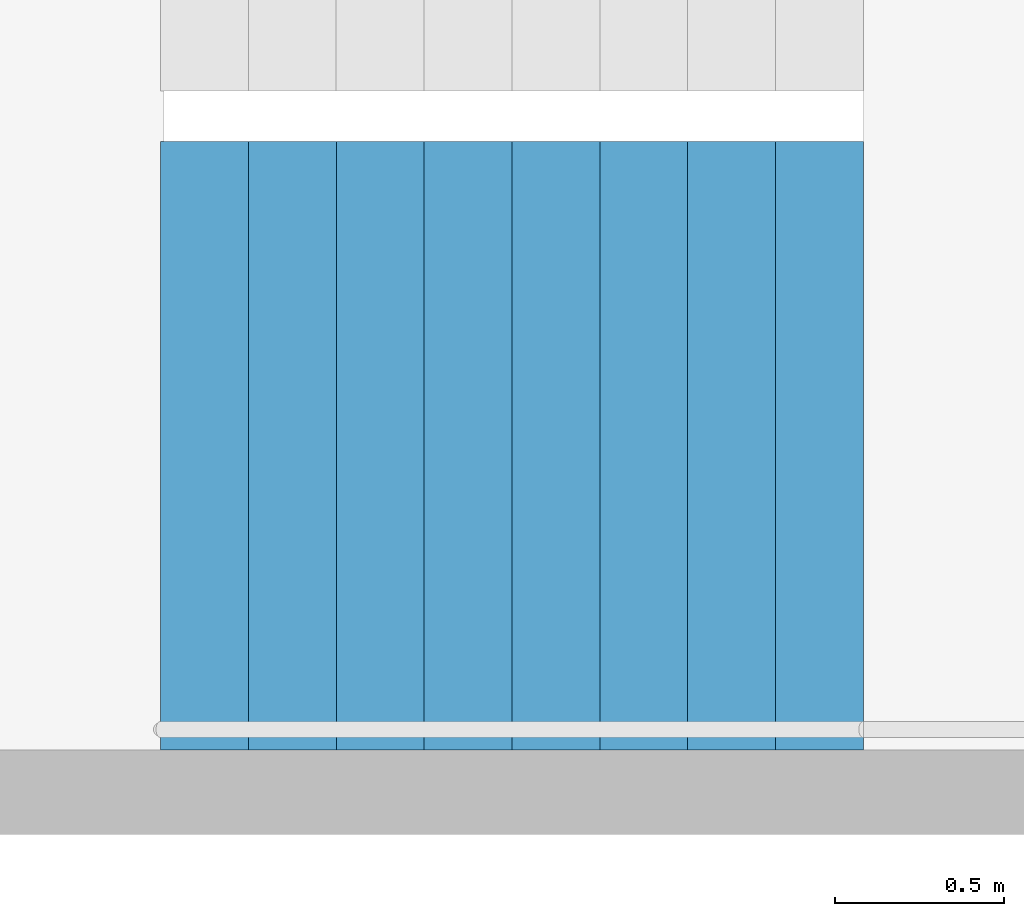
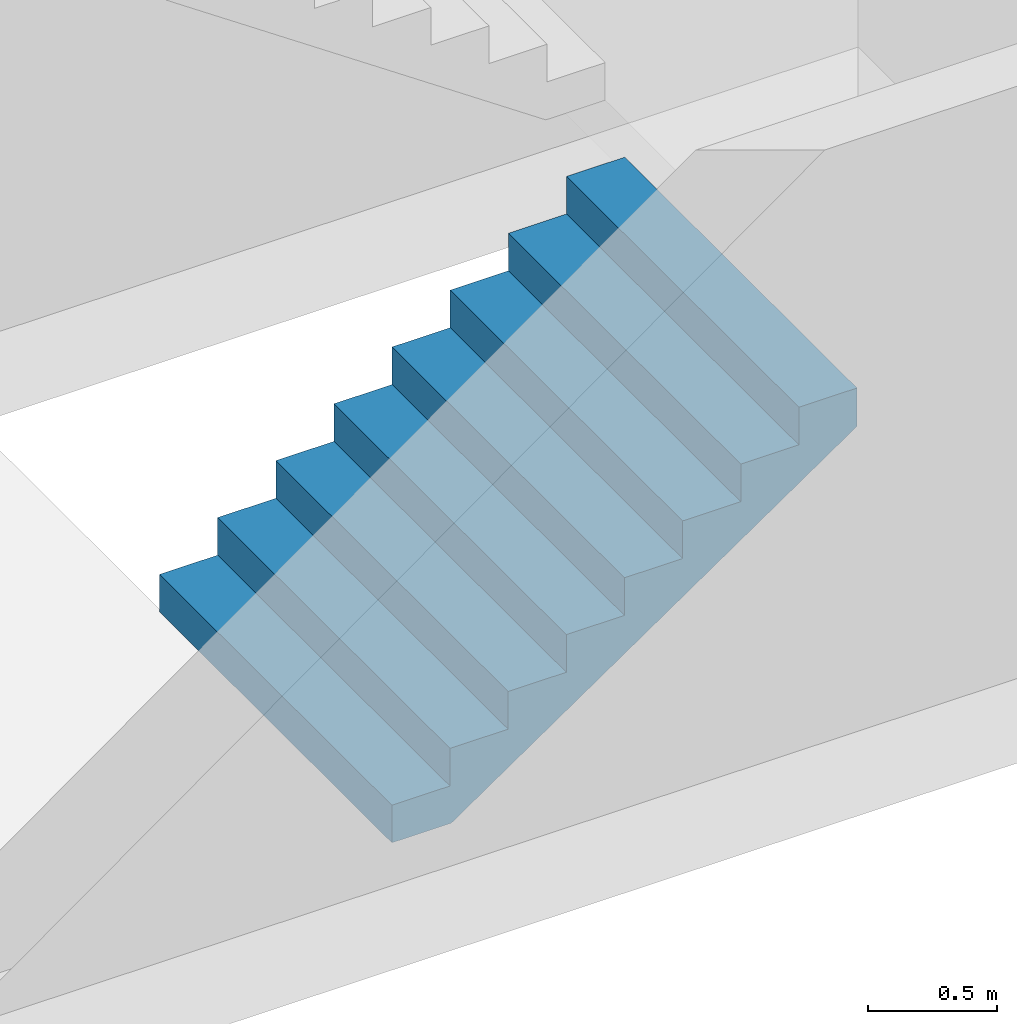
# One storey, part 23 of 29: 1 stair flight, 1 element without a shape of its own.
"""IFC4 building model written with IfcOpenShell, lengths in metres."""

from ifc_helpers import new_model, si_unit, direction, frame, origin, place, context, subcontext, project, spatial, triangles, material, type_object, element, aggregate, save


model = new_model("IFC4")

# Units and contexts
model_context = context("Model", 3, precision=1e-05, world=origin(), true_north=direction((0.0, 1.0)))
body_context = subcontext(model_context, "Body", "Model", "MODEL_VIEW")
ifc_project = project(units=[si_unit("LENGTHUNIT", "METRE"), si_unit("AREAUNIT", "SQUARE_METRE"), si_unit("VOLUMEUNIT", "CUBIC_METRE"), si_unit("PLANEANGLEUNIT", "RADIAN"), si_unit("MASSUNIT", "GRAM", prefix="KILO")], contexts=[model_context])

# Site, building, storey
site_placement = place(None, origin())
site = spatial("IfcSite", under=ifc_project, at=site_placement, CompositionType="ELEMENT")
building_placement = place(site_placement, origin())
building = spatial("IfcBuilding", under=site, at=building_placement, Name="Hakoniwa Tower and Hamabe Station Hall", CompositionType="ELEMENT")
storey_placement = place(building_placement, frame((0.0, 0.0, 23.0)))
storey = spatial("IfcBuildingStorey", under=building, at=storey_placement, Name="L05", CompositionType="ELEMENT", Elevation=23.0)

# Stair, stair flight
ifc_material_1 = material(Name="Concrete C40", Category="concrete")
stair_type = type_object("IfcStairType", Name="ESCAPE STAIR 1800", PredefinedType="HALF_TURN_STAIR", material=ifc_material_1)
stair_placement = place(storey_placement, origin())
stair = element("IfcStair", 1, at=stair_placement, inside=storey, type_object=stair_type, Name="Escape stair ST-1 L05", PredefinedType="HALF_TURN_STAIR")
ifc_material_2 = material(Name="Concrete C40", Category="concrete")
stair_flight_type = type_object("IfcStairFlightType", Name="STAIR FLIGHT 1800", PredefinedType="STRAIGHT", material=ifc_material_2)
stair_flight_placement = place(storey_placement, frame((-24.39990234375, 4.64990234375, 0.0), z_axis=(0.0, 0.0, 1.0), x_axis=(1.0, 0.0, 0.0)))
stair_flight = element("IfcStairFlight", 2, at=stair_flight_placement, type_object=stair_flight_type, Name="ST-1 flight 1", NumberOfRisers=9, NumberOfTreads=8, PredefinedType="STRAIGHT", RiserHeight=0.177777778, TreadLength=0.26, context=body_context, shape_type="Tessellation", body=[
    triangles([(0.0, 0.89990234375, 0.0), (0.260009765625, 0.89990234375, 0.0), (0.265625, 0.89990234375, 0.0), (0.52001953125, 0.89990234375, 0.174072265625), (0.780029296875, 0.89990234375, 0.351806640625), (1.0400390625, 0.89990234375, 0.529541015625), (1.300048828125, 0.89990234375, 0.707275390625), (1.56005859375, 0.89990234375, 0.885009765625), (1.820068359375, 0.89990234375, 1.062744140625), (2.080078125, 0.89990234375, 1.24072265625), (2.080078125, 0.89990234375, 1.422119140625), (1.820068359375, 0.89990234375, 1.422119140625), (1.820068359375, 0.89990234375, 1.244384765625), (1.56005859375, 0.89990234375, 1.244384765625), (1.56005859375, 0.89990234375, 1.066650390625), (1.300048828125, 0.89990234375, 1.066650390625), (1.300048828125, 0.89990234375, 0.888916015625), (1.0400390625, 0.89990234375, 0.888916015625), (1.0400390625, 0.89990234375, 0.711181640625), (0.780029296875, 0.89990234375, 0.711181640625), (0.780029296875, 0.89990234375, 0.533447265625), (0.52001953125, 0.89990234375, 0.533447265625), (0.52001953125, 0.89990234375, 0.35546875), (0.265625, 0.89990234375, 0.35546875), (0.260009765625, 0.89990234375, 0.35546875), (0.260009765625, 0.89990234375, 0.177734375), (0.0, 0.89990234375, 0.177734375), (0.0, 0.06005859375, 0.0), (0.260009765625, 0.06005859375, 0.0), (0.265625, 0.06005859375, 0.0), (0.52001953125, 0.06005859375, 0.174072265625), (0.780029296875, 0.06005859375, 0.351806640625), (1.0400390625, 0.06005859375, 0.529541015625), (1.300048828125, 0.06005859375, 0.707275390625), (1.56005859375, 0.06005859375, 0.885009765625), (1.820068359375, 0.06005859375, 1.062744140625), (2.080078125, 0.06005859375, 1.24072265625), (2.080078125, 0.06005859375, 1.422119140625), (1.820068359375, 0.06005859375, 1.422119140625), (1.820068359375, 0.06005859375, 1.244384765625), (1.56005859375, 0.06005859375, 1.244384765625), (1.56005859375, 0.06005859375, 1.066650390625), (1.300048828125, 0.06005859375, 1.066650390625), (1.300048828125, 0.06005859375, 0.888916015625), (1.0400390625, 0.06005859375, 0.888916015625), (1.0400390625, 0.06005859375, 0.711181640625), (0.780029296875, 0.06005859375, 0.711181640625), (0.780029296875, 0.06005859375, 0.533447265625), (0.52001953125, 0.06005859375, 0.533447265625), (0.52001953125, 0.06005859375, 0.35546875), (0.265625, 0.06005859375, 0.35546875), (0.260009765625, 0.06005859375, 0.35546875), (0.260009765625, 0.06005859375, 0.177734375), (0.0, 0.06005859375, 0.177734375), (0.0, 0.04296875, 0.0), (0.260009765625, 0.04296875, 0.0), (0.265625, 0.04296875, 0.0), (0.52001953125, 0.04296875, 0.174072265625), (0.780029296875, 0.04296875, 0.351806640625), (1.0400390625, 0.04296875, 0.529541015625), (1.300048828125, 0.04296875, 0.707275390625), (1.56005859375, 0.04296875, 0.885009765625), (1.820068359375, 0.04296875, 1.062744140625), (2.080078125, 0.04296875, 1.24072265625), (2.080078125, 0.04296875, 1.422119140625), (1.820068359375, 0.04296875, 1.422119140625), (1.820068359375, 0.04296875, 1.244384765625), (1.56005859375, 0.04296875, 1.244384765625), (1.56005859375, 0.04296875, 1.066650390625), (1.300048828125, 0.04296875, 1.066650390625), (1.300048828125, 0.04296875, 0.888916015625), (1.0400390625, 0.04296875, 0.888916015625), (1.0400390625, 0.04296875, 0.711181640625), (0.780029296875, 0.04296875, 0.711181640625), (0.780029296875, 0.04296875, 0.533447265625), (0.52001953125, 0.04296875, 0.533447265625), (0.52001953125, 0.04296875, 0.35546875), (0.265625, 0.04296875, 0.35546875), (0.260009765625, 0.04296875, 0.35546875), (0.260009765625, 0.04296875, 0.177734375), (0.0, 0.04296875, 0.177734375), (0.0, 0.025634765625, 0.0), (0.260009765625, 0.025634765625, 0.0), (0.265625, 0.025634765625, 0.0), (0.52001953125, 0.025634765625, 0.174072265625), (0.780029296875, 0.025634765625, 0.351806640625), (1.0400390625, 0.025634765625, 0.529541015625), (1.300048828125, 0.025634765625, 0.707275390625), (1.56005859375, 0.025634765625, 0.885009765625), (1.820068359375, 0.025634765625, 1.062744140625), (2.080078125, 0.025634765625, 1.24072265625), (2.080078125, 0.025634765625, 1.422119140625), (1.820068359375, 0.025634765625, 1.422119140625), (1.820068359375, 0.025634765625, 1.244384765625), (1.56005859375, 0.025634765625, 1.244384765625), (1.56005859375, 0.025634765625, 1.066650390625), (1.300048828125, 0.025634765625, 1.066650390625), (1.300048828125, 0.025634765625, 0.888916015625), (1.0400390625, 0.025634765625, 0.888916015625), (1.0400390625, 0.025634765625, 0.711181640625), (0.780029296875, 0.025634765625, 0.711181640625), (0.780029296875, 0.025634765625, 0.533447265625), (0.52001953125, 0.025634765625, 0.533447265625), (0.52001953125, 0.025634765625, 0.35546875), (0.265625, 0.025634765625, 0.35546875), (0.260009765625, 0.025634765625, 0.35546875), (0.260009765625, 0.025634765625, 0.177734375), (0.0, 0.025634765625, 0.177734375), (0.0, 0.008544921875, 0.0), (0.260009765625, 0.008544921875, 0.0), (0.265625, 0.008544921875, 0.0), (0.52001953125, 0.008544921875, 0.174072265625), (0.780029296875, 0.008544921875, 0.351806640625), (1.0400390625, 0.008544921875, 0.529541015625), (1.300048828125, 0.008544921875, 0.707275390625), (1.56005859375, 0.008544921875, 0.885009765625), (1.820068359375, 0.008544921875, 1.062744140625), (2.080078125, 0.008544921875, 1.24072265625), (2.080078125, 0.008544921875, 1.422119140625), (1.820068359375, 0.008544921875, 1.422119140625), (1.820068359375, 0.008544921875, 1.244384765625), (1.56005859375, 0.008544921875, 1.244384765625), (1.56005859375, 0.008544921875, 1.066650390625), (1.300048828125, 0.008544921875, 1.066650390625), (1.300048828125, 0.008544921875, 0.888916015625), (1.0400390625, 0.008544921875, 0.888916015625), (1.0400390625, 0.008544921875, 0.711181640625), (0.780029296875, 0.008544921875, 0.711181640625), (0.780029296875, 0.008544921875, 0.533447265625), (0.52001953125, 0.008544921875, 0.533447265625), (0.52001953125, 0.008544921875, 0.35546875), (0.265625, 0.008544921875, 0.35546875), (0.260009765625, 0.008544921875, 0.35546875), (0.260009765625, 0.008544921875, 0.177734375), (0.0, 0.008544921875, 0.177734375), (0.0, -0.008544921875, 0.0), (0.260009765625, -0.008544921875, 0.0), (0.265625, -0.008544921875, 0.0), (0.52001953125, -0.008544921875, 0.174072265625), (0.780029296875, -0.008544921875, 0.351806640625), (1.0400390625, -0.008544921875, 0.529541015625), (1.300048828125, -0.008544921875, 0.707275390625), (1.56005859375, -0.008544921875, 0.885009765625), (1.820068359375, -0.008544921875, 1.062744140625), (2.080078125, -0.008544921875, 1.24072265625), (2.080078125, -0.008544921875, 1.422119140625), (1.820068359375, -0.008544921875, 1.422119140625), (1.820068359375, -0.008544921875, 1.244384765625), (1.56005859375, -0.008544921875, 1.244384765625), (1.56005859375, -0.008544921875, 1.066650390625), (1.300048828125, -0.008544921875, 1.066650390625), (1.300048828125, -0.008544921875, 0.888916015625), (1.0400390625, -0.008544921875, 0.888916015625), (1.0400390625, -0.008544921875, 0.711181640625), (0.780029296875, -0.008544921875, 0.711181640625), (0.780029296875, -0.008544921875, 0.533447265625), (0.52001953125, -0.008544921875, 0.533447265625), (0.52001953125, -0.008544921875, 0.35546875), (0.265625, -0.008544921875, 0.35546875), (0.260009765625, -0.008544921875, 0.35546875), (0.260009765625, -0.008544921875, 0.177734375), (0.0, -0.008544921875, 0.177734375), (0.0, -0.025634765625, 0.0), (0.260009765625, -0.025634765625, 0.0), (0.265625, -0.025634765625, 0.0), (0.52001953125, -0.025634765625, 0.174072265625), (0.780029296875, -0.025634765625, 0.351806640625), (1.0400390625, -0.025634765625, 0.529541015625), (1.300048828125, -0.025634765625, 0.707275390625), (1.56005859375, -0.025634765625, 0.885009765625), (1.820068359375, -0.025634765625, 1.062744140625), (2.080078125, -0.025634765625, 1.24072265625), (2.080078125, -0.025634765625, 1.422119140625), (1.820068359375, -0.025634765625, 1.422119140625), (1.820068359375, -0.025634765625, 1.244384765625), (1.56005859375, -0.025634765625, 1.244384765625), (1.56005859375, -0.025634765625, 1.066650390625), (1.300048828125, -0.025634765625, 1.066650390625), (1.300048828125, -0.025634765625, 0.888916015625), (1.0400390625, -0.025634765625, 0.888916015625), (1.0400390625, -0.025634765625, 0.711181640625), (0.780029296875, -0.025634765625, 0.711181640625), (0.780029296875, -0.025634765625, 0.533447265625), (0.52001953125, -0.025634765625, 0.533447265625), (0.52001953125, -0.025634765625, 0.35546875), (0.265625, -0.025634765625, 0.35546875), (0.260009765625, -0.025634765625, 0.35546875), (0.260009765625, -0.025634765625, 0.177734375), (0.0, -0.025634765625, 0.177734375), (0.0, -0.04296875, 0.0), (0.260009765625, -0.04296875, 0.0), (0.265625, -0.04296875, 0.0), (0.52001953125, -0.04296875, 0.174072265625), (0.780029296875, -0.04296875, 0.351806640625), (1.0400390625, -0.04296875, 0.529541015625), (1.300048828125, -0.04296875, 0.707275390625), (1.56005859375, -0.04296875, 0.885009765625), (1.820068359375, -0.04296875, 1.062744140625), (2.080078125, -0.04296875, 1.24072265625), (2.080078125, -0.04296875, 1.422119140625), (1.820068359375, -0.04296875, 1.422119140625), (1.820068359375, -0.04296875, 1.244384765625), (1.56005859375, -0.04296875, 1.244384765625), (1.56005859375, -0.04296875, 1.066650390625), (1.300048828125, -0.04296875, 1.066650390625), (1.300048828125, -0.04296875, 0.888916015625), (1.0400390625, -0.04296875, 0.888916015625), (1.0400390625, -0.04296875, 0.711181640625), (0.780029296875, -0.04296875, 0.711181640625), (0.780029296875, -0.04296875, 0.533447265625), (0.52001953125, -0.04296875, 0.533447265625), (0.52001953125, -0.04296875, 0.35546875), (0.265625, -0.04296875, 0.35546875), (0.260009765625, -0.04296875, 0.35546875), (0.260009765625, -0.04296875, 0.177734375), (0.0, -0.04296875, 0.177734375), (0.0, -0.06005859375, 0.0), (0.260009765625, -0.06005859375, 0.0), (0.265625, -0.06005859375, 0.0), (0.52001953125, -0.06005859375, 0.174072265625), (0.780029296875, -0.06005859375, 0.351806640625), (1.0400390625, -0.06005859375, 0.529541015625), (1.300048828125, -0.06005859375, 0.707275390625), (1.56005859375, -0.06005859375, 0.885009765625), (1.820068359375, -0.06005859375, 1.062744140625), (2.080078125, -0.06005859375, 1.24072265625), (2.080078125, -0.06005859375, 1.422119140625), (1.820068359375, -0.06005859375, 1.422119140625), (1.820068359375, -0.06005859375, 1.244384765625), (1.56005859375, -0.06005859375, 1.244384765625), (1.56005859375, -0.06005859375, 1.066650390625), (1.300048828125, -0.06005859375, 1.066650390625), (1.300048828125, -0.06005859375, 0.888916015625), (1.0400390625, -0.06005859375, 0.888916015625), (1.0400390625, -0.06005859375, 0.711181640625), (0.780029296875, -0.06005859375, 0.711181640625), (0.780029296875, -0.06005859375, 0.533447265625), (0.52001953125, -0.06005859375, 0.533447265625), (0.52001953125, -0.06005859375, 0.35546875), (0.265625, -0.06005859375, 0.35546875), (0.260009765625, -0.06005859375, 0.35546875), (0.260009765625, -0.06005859375, 0.177734375), (0.0, -0.06005859375, 0.177734375), (0.0, -0.89990234375, 0.0), (0.260009765625, -0.89990234375, 0.0), (0.265625, -0.89990234375, 0.0), (0.52001953125, -0.89990234375, 0.174072265625), (0.780029296875, -0.89990234375, 0.351806640625), (1.0400390625, -0.89990234375, 0.529541015625), (1.300048828125, -0.89990234375, 0.707275390625), (1.56005859375, -0.89990234375, 0.885009765625), (1.820068359375, -0.89990234375, 1.062744140625), (2.080078125, -0.89990234375, 1.24072265625), (2.080078125, -0.89990234375, 1.422119140625), (1.820068359375, -0.89990234375, 1.422119140625), (1.820068359375, -0.89990234375, 1.244384765625), (1.56005859375, -0.89990234375, 1.244384765625), (1.56005859375, -0.89990234375, 1.066650390625), (1.300048828125, -0.89990234375, 1.066650390625), (1.300048828125, -0.89990234375, 0.888916015625), (1.0400390625, -0.89990234375, 0.888916015625), (1.0400390625, -0.89990234375, 0.711181640625), (0.780029296875, -0.89990234375, 0.711181640625), (0.780029296875, -0.89990234375, 0.533447265625), (0.52001953125, -0.89990234375, 0.533447265625), (0.52001953125, -0.89990234375, 0.35546875), (0.265625, -0.89990234375, 0.35546875), (0.260009765625, -0.89990234375, 0.35546875), (0.260009765625, -0.89990234375, 0.177734375), (0.0, -0.89990234375, 0.177734375)], [[2, 27, 26], [245, 269, 270], [2, 1, 27], [245, 270, 244], [3, 25, 24], [246, 267, 268], [3, 26, 25], [246, 268, 269], [3, 2, 26], [246, 269, 245], [4, 24, 23], [247, 266, 267], [4, 3, 24], [247, 267, 246], [5, 22, 21], [248, 264, 265], [5, 23, 22], [248, 265, 266], [5, 4, 23], [248, 266, 247], [6, 20, 19], [249, 262, 263], [6, 21, 20], [249, 263, 264], [6, 5, 21], [249, 264, 248], [7, 18, 17], [250, 260, 261], [7, 19, 18], [250, 261, 262], [7, 6, 19], [250, 262, 249], [8, 16, 15], [251, 258, 259], [8, 17, 16], [251, 259, 260], [8, 7, 17], [251, 260, 250], [9, 14, 13], [252, 256, 257], [9, 15, 14], [252, 257, 258], [9, 8, 15], [252, 258, 251], [10, 12, 11], [253, 254, 255], [10, 13, 12], [253, 255, 256], [10, 9, 13], [253, 256, 252], [1, 2, 29], [1, 29, 28], [28, 29, 56], [28, 56, 55], [55, 56, 83], [55, 83, 82], [82, 83, 110], [82, 110, 109], [109, 110, 137], [109, 137, 136], [136, 137, 164], [136, 164, 163], [163, 164, 191], [163, 191, 190], [190, 191, 218], [190, 218, 217], [217, 218, 245], [217, 245, 244], [2, 3, 30], [2, 30, 29], [29, 30, 57], [29, 57, 56], [56, 57, 84], [56, 84, 83], [83, 84, 111], [83, 111, 110], [110, 111, 138], [110, 138, 137], [137, 138, 165], [137, 165, 164], [164, 165, 192], [164, 192, 191], [191, 192, 219], [191, 219, 218], [218, 219, 246], [218, 246, 245], [3, 4, 31], [3, 31, 30], [30, 31, 58], [30, 58, 57], [57, 58, 85], [57, 85, 84], [84, 85, 112], [84, 112, 111], [111, 112, 139], [111, 139, 138], [138, 139, 166], [138, 166, 165], [165, 166, 193], [165, 193, 192], [192, 193, 220], [192, 220, 219], [219, 220, 247], [219, 247, 246], [4, 5, 32], [4, 32, 31], [31, 32, 59], [31, 59, 58], [58, 59, 86], [58, 86, 85], [85, 86, 113], [85, 113, 112], [112, 113, 140], [112, 140, 139], [139, 140, 167], [139, 167, 166], [166, 167, 194], [166, 194, 193], [193, 194, 221], [193, 221, 220], [220, 221, 248], [220, 248, 247], [5, 6, 33], [5, 33, 32], [32, 33, 60], [32, 60, 59], [59, 60, 87], [59, 87, 86], [86, 87, 114], [86, 114, 113], [113, 114, 141], [113, 141, 140], [140, 141, 168], [140, 168, 167], [167, 168, 195], [167, 195, 194], [194, 195, 222], [194, 222, 221], [221, 222, 249], [221, 249, 248], [6, 7, 34], [6, 34, 33], [33, 34, 61], [33, 61, 60], [60, 61, 88], [60, 88, 87], [87, 88, 115], [87, 115, 114], [114, 115, 142], [114, 142, 141], [141, 142, 169], [141, 169, 168], [168, 169, 196], [168, 196, 195], [195, 196, 223], [195, 223, 222], [222, 223, 250], [222, 250, 249], [7, 8, 35], [7, 35, 34], [34, 35, 62], [34, 62, 61], [61, 62, 89], [61, 89, 88], [88, 89, 116], [88, 116, 115], [115, 116, 143], [115, 143, 142], [142, 143, 170], [142, 170, 169], [169, 170, 197], [169, 197, 196], [196, 197, 224], [196, 224, 223], [223, 224, 251], [223, 251, 250], [8, 9, 36], [8, 36, 35], [35, 36, 63], [35, 63, 62], [62, 63, 90], [62, 90, 89], [89, 90, 117], [89, 117, 116], [116, 117, 144], [116, 144, 143], [143, 144, 171], [143, 171, 170], [170, 171, 198], [170, 198, 197], [197, 198, 225], [197, 225, 224], [224, 225, 252], [224, 252, 251], [9, 10, 37], [9, 37, 36], [36, 37, 64], [36, 64, 63], [63, 64, 91], [63, 91, 90], [90, 91, 118], [90, 118, 117], [117, 118, 145], [117, 145, 144], [144, 145, 172], [144, 172, 171], [171, 172, 199], [171, 199, 198], [198, 199, 226], [198, 226, 225], [225, 226, 253], [225, 253, 252], [10, 11, 38], [10, 38, 37], [37, 38, 65], [37, 65, 64], [64, 65, 92], [64, 92, 91], [91, 92, 119], [91, 119, 118], [118, 119, 146], [118, 146, 145], [145, 146, 173], [145, 173, 172], [172, 173, 200], [172, 200, 199], [199, 200, 227], [199, 227, 226], [226, 227, 254], [226, 254, 253], [11, 12, 39], [11, 39, 38], [38, 39, 66], [38, 66, 65], [65, 66, 93], [65, 93, 92], [92, 93, 120], [92, 120, 119], [119, 120, 147], [119, 147, 146], [146, 147, 174], [146, 174, 173], [173, 174, 201], [173, 201, 200], [200, 201, 228], [200, 228, 227], [227, 228, 255], [227, 255, 254], [12, 13, 40], [12, 40, 39], [39, 40, 67], [39, 67, 66], [66, 67, 94], [66, 94, 93], [93, 94, 121], [93, 121, 120], [120, 121, 148], [120, 148, 147], [147, 148, 175], [147, 175, 174], [174, 175, 202], [174, 202, 201], [201, 202, 229], [201, 229, 228], [228, 229, 256], [228, 256, 255], [13, 14, 41], [13, 41, 40], [40, 41, 68], [40, 68, 67], [67, 68, 95], [67, 95, 94], [94, 95, 122], [94, 122, 121], [121, 122, 149], [121, 149, 148], [148, 149, 176], [148, 176, 175], [175, 176, 203], [175, 203, 202], [202, 203, 230], [202, 230, 229], [229, 230, 257], [229, 257, 256], [14, 15, 42], [14, 42, 41], [41, 42, 69], [41, 69, 68], [68, 69, 96], [68, 96, 95], [95, 96, 123], [95, 123, 122], [122, 123, 150], [122, 150, 149], [149, 150, 177], [149, 177, 176], [176, 177, 204], [176, 204, 203], [203, 204, 231], [203, 231, 230], [230, 231, 258], [230, 258, 257], [15, 16, 43], [15, 43, 42], [42, 43, 70], [42, 70, 69], [69, 70, 97], [69, 97, 96], [96, 97, 124], [96, 124, 123], [123, 124, 151], [123, 151, 150], [150, 151, 178], [150, 178, 177], [177, 178, 205], [177, 205, 204], [204, 205, 232], [204, 232, 231], [231, 232, 259], [231, 259, 258], [16, 17, 44], [16, 44, 43], [43, 44, 71], [43, 71, 70], [70, 71, 98], [70, 98, 97], [97, 98, 125], [97, 125, 124], [124, 125, 152], [124, 152, 151], [151, 152, 179], [151, 179, 178], [178, 179, 206], [178, 206, 205], [205, 206, 233], [205, 233, 232], [232, 233, 260], [232, 260, 259], [17, 18, 45], [17, 45, 44], [44, 45, 72], [44, 72, 71], [71, 72, 99], [71, 99, 98], [98, 99, 126], [98, 126, 125], [125, 126, 153], [125, 153, 152], [152, 153, 180], [152, 180, 179], [179, 180, 207], [179, 207, 206], [206, 207, 234], [206, 234, 233], [233, 234, 261], [233, 261, 260], [18, 19, 46], [18, 46, 45], [45, 46, 73], [45, 73, 72], [72, 73, 100], [72, 100, 99], [99, 100, 127], [99, 127, 126], [126, 127, 154], [126, 154, 153], [153, 154, 181], [153, 181, 180], [180, 181, 208], [180, 208, 207], [207, 208, 235], [207, 235, 234], [234, 235, 262], [234, 262, 261], [19, 20, 47], [19, 47, 46], [46, 47, 74], [46, 74, 73], [73, 74, 101], [73, 101, 100], [100, 101, 128], [100, 128, 127], [127, 128, 155], [127, 155, 154], [154, 155, 182], [154, 182, 181], [181, 182, 209], [181, 209, 208], [208, 209, 236], [208, 236, 235], [235, 236, 263], [235, 263, 262], [20, 21, 48], [20, 48, 47], [47, 48, 75], [47, 75, 74], [74, 75, 102], [74, 102, 101], [101, 102, 129], [101, 129, 128], [128, 129, 156], [128, 156, 155], [155, 156, 183], [155, 183, 182], [182, 183, 210], [182, 210, 209], [209, 210, 237], [209, 237, 236], [236, 237, 264], [236, 264, 263], [21, 22, 49], [21, 49, 48], [48, 49, 76], [48, 76, 75], [75, 76, 103], [75, 103, 102], [102, 103, 130], [102, 130, 129], [129, 130, 157], [129, 157, 156], [156, 157, 184], [156, 184, 183], [183, 184, 211], [183, 211, 210], [210, 211, 238], [210, 238, 237], [237, 238, 265], [237, 265, 264], [22, 23, 50], [22, 50, 49], [49, 50, 77], [49, 77, 76], [76, 77, 104], [76, 104, 103], [103, 104, 131], [103, 131, 130], [130, 131, 158], [130, 158, 157], [157, 158, 185], [157, 185, 184], [184, 185, 212], [184, 212, 211], [211, 212, 239], [211, 239, 238], [238, 239, 266], [238, 266, 265], [23, 24, 51], [23, 51, 50], [50, 51, 78], [50, 78, 77], [77, 78, 105], [77, 105, 104], [104, 105, 132], [104, 132, 131], [131, 132, 159], [131, 159, 158], [158, 159, 186], [158, 186, 185], [185, 186, 213], [185, 213, 212], [212, 213, 240], [212, 240, 239], [239, 240, 267], [239, 267, 266], [24, 25, 52], [24, 52, 51], [51, 52, 79], [51, 79, 78], [78, 79, 106], [78, 106, 105], [105, 106, 133], [105, 133, 132], [132, 133, 160], [132, 160, 159], [159, 160, 187], [159, 187, 186], [186, 187, 214], [186, 214, 213], [213, 214, 241], [213, 241, 240], [240, 241, 268], [240, 268, 267], [25, 26, 53], [25, 53, 52], [52, 53, 80], [52, 80, 79], [79, 80, 107], [79, 107, 106], [106, 107, 134], [106, 134, 133], [133, 134, 161], [133, 161, 160], [160, 161, 188], [160, 188, 187], [187, 188, 215], [187, 215, 214], [214, 215, 242], [214, 242, 241], [241, 242, 269], [241, 269, 268], [26, 27, 54], [26, 54, 53], [53, 54, 81], [53, 81, 80], [80, 81, 108], [80, 108, 107], [107, 108, 135], [107, 135, 134], [134, 135, 162], [134, 162, 161], [161, 162, 189], [161, 189, 188], [188, 189, 216], [188, 216, 215], [215, 216, 243], [215, 243, 242], [242, 243, 270], [242, 270, 269], [27, 1, 28], [27, 28, 54], [54, 28, 55], [54, 55, 81], [81, 55, 82], [81, 82, 108], [108, 82, 109], [108, 109, 135], [135, 109, 136], [135, 136, 162], [162, 136, 163], [162, 163, 189], [189, 163, 190], [189, 190, 216], [216, 190, 217], [216, 217, 243], [243, 217, 244], [243, 244, 270]], closed=True),
])
aggregate(stair, [stair_flight])

save(model, "model.ifc")
